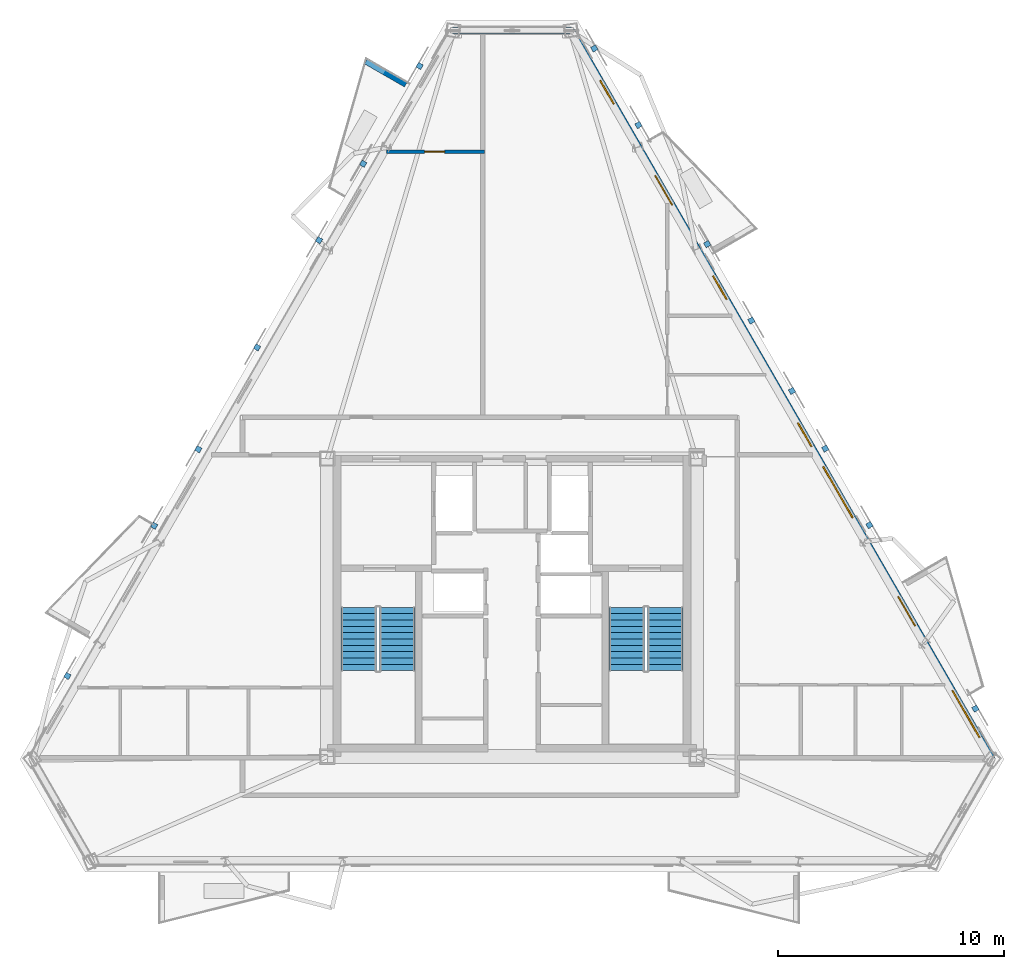
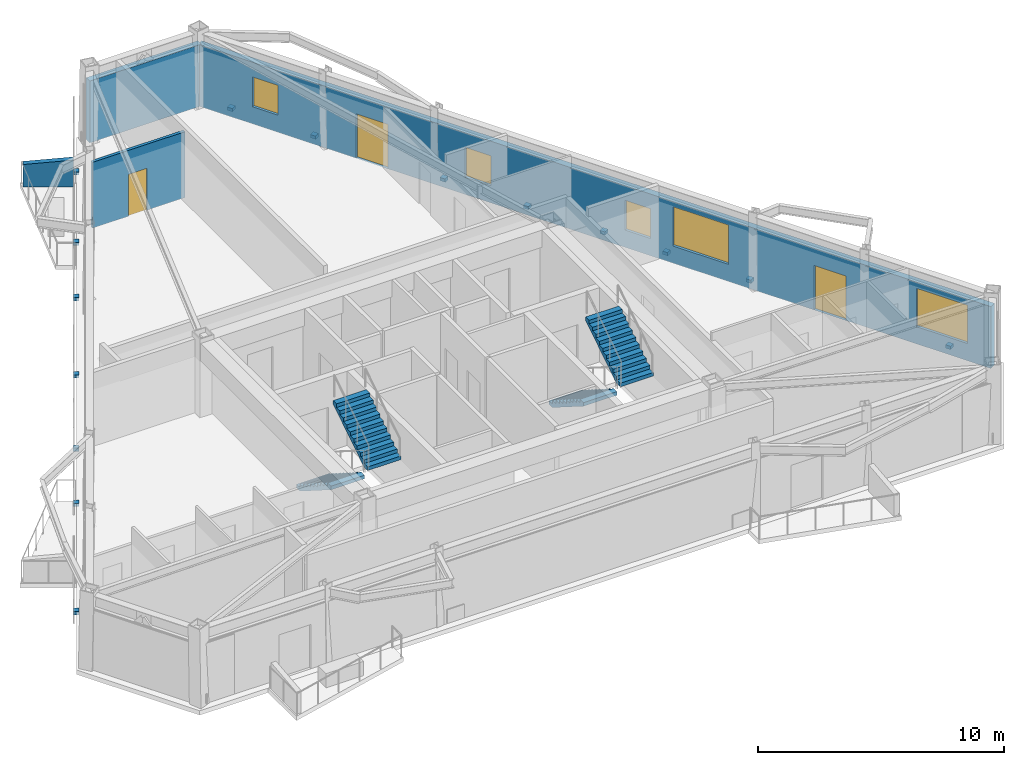
# One storey, part 5 of 9: 15 discrete accessories, 5 windows, 4 stair flights, 4 walls, 3 doors, 8 openings, 2 elements without a shape of their own.
"""IFC4 building model written with IfcOpenShell, lengths in metres."""

from ifc_helpers import new_model, si_unit, direction, frame, frame_2d, origin, origin_2d, place, context, subcontext, project, spatial, polyline, rectangle, outline, extrude, material, layer, layer_set, type_object, element, fill, aggregate, save


model = new_model("IFC4")

# Units and contexts
model_context = context("Model", 3, precision=1e-05, world=origin(), true_north=direction((0.0, 1.0)))
body_context = subcontext(model_context, "Body", "Model", "MODEL_VIEW")
ifc_project = project(units=[si_unit("LENGTHUNIT", "METRE"), si_unit("AREAUNIT", "SQUARE_METRE"), si_unit("VOLUMEUNIT", "CUBIC_METRE"), si_unit("PLANEANGLEUNIT", "RADIAN"), si_unit("MASSUNIT", "GRAM", prefix="KILO")], contexts=[model_context])

# Site, building, storey
site_placement = place(None, origin())
site = spatial("IfcSite", under=ifc_project, at=site_placement, CompositionType="ELEMENT")
building_placement = place(site_placement, origin())
building = spatial("IfcBuilding", under=site, at=building_placement, Name="Oramaril Tower", CompositionType="ELEMENT")
storey_placement = place(building_placement, frame((0.0, 0.0, 257.699951171875)))
storey = spatial("IfcBuildingStorey", under=building, at=storey_placement, Name="L68", CompositionType="ELEMENT", Elevation=257.699951171875)

# Wall, openings, doors, windows
ifc_material_1 = material(Name="Warm Cream Limestone", Category="masonry")
ifc_layer_1 = layer(ifc_material_1, 0.2900390625)
ifc_layer_set_1 = layer_set([ifc_layer_1], Name="WT-EXT29")
wall_type_1 = type_object("IfcWallType", Name="WT-EXT29", PredefinedType="SOLIDWALL", material=ifc_layer_set_1)
wall_1_placement = place(storey_placement, frame((58.692626953125, 10.885986328125, 0.0), z_axis=(0.0, 0.0, 1.0), x_axis=(-0.500001564453, 0.866024500545, 0.0)))
wall_1 = element("IfcWall", 1, at=wall_1_placement, inside=storey, type_object=wall_type_1, Name="L68 Tower Limestone Facade Wall 4M", PredefinedType="SOLIDWALL", context=body_context, shape_type="SweptSolid", body=[
    extrude(rectangle(XDim=37.15185546875, YDim=0.2900390625, at=frame_2d((18.575927734375, 0.0))), origin(), (0.0, 0.0, 1.0), 3.05810546875),
])
opening_1_placement = place(wall_1_placement, frame((6.789306640625, 0.0, 0.0)))
opening_1 = element("IfcOpeningElement", 2, at=opening_1_placement, cuts=wall_1, Name="Opening D-L68-BAL-NE1", PredefinedType="OPENING", context=body_context, shape_type="SweptSolid", body=[
    extrude(rectangle(XDim=1.5, YDim=2.199951171875, at=frame_2d((0.75, 1.10009765625))), frame((0.0, 0.14501953125, 0.0), z_axis=(0.0, -1.0, 0.0), x_axis=(1.0, 0.0, 0.0)), (0.0, 0.0, 1.0), 0.2900390625),
])
opening_2_placement = place(wall_1_placement, frame((28.247314453125, 0.0, 0.0)))
opening_2 = element("IfcOpeningElement", 3, at=opening_2_placement, cuts=wall_1, Name="Opening D-L68-BAL-NE2", PredefinedType="OPENING", context=body_context, shape_type="SweptSolid", body=[
    extrude(rectangle(XDim=1.5, YDim=2.199951171875, at=frame_2d((0.75, 1.10009765625))), frame((0.0, 0.14501953125, 0.0), z_axis=(0.0, -1.0, 0.0), x_axis=(1.0, 0.0, 0.0)), (0.0, 0.0, 1.0), 0.2900390625),
])
opening_3_placement = place(wall_1_placement, frame((12.3046875, 0.0, 0.85009765625)))
opening_3 = element("IfcOpeningElement", 4, at=opening_3_placement, cuts=wall_1, Name="Opening WN-02", PredefinedType="OPENING", context=body_context, shape_type="SweptSolid", body=[
    extrude(rectangle(XDim=2.60009765625, YDim=1.949951171875, at=frame_2d((1.300048828125, 0.97509765625))), frame((0.0, 0.14501953125, 0.0), z_axis=(0.0, -1.0, 0.0), x_axis=(1.0, 0.0, 0.0)), (0.0, 0.0, 1.0), 0.2900390625),
])
opening_4_placement = place(wall_1_placement, frame((1.09619140625, 0.0, 0.85009765625)))
opening_4 = element("IfcOpeningElement", 5, at=opening_4_placement, cuts=wall_1, Name="Opening WN-03", PredefinedType="OPENING", context=body_context, shape_type="SweptSolid", body=[
    extrude(rectangle(XDim=2.39990234375, YDim=1.89990234375, at=frame_2d((1.199951171875, 0.949951171875))), frame((0.0, 0.14501953125, 0.0), z_axis=(0.0, -1.0, 0.0), x_axis=(1.0, 0.0, 0.0)), (0.0, 0.0, 1.0), 0.2900390625),
])
opening_5_placement = place(wall_1_placement, frame((33.401123046875, 0.0, 0.85009765625)))
opening_5 = element("IfcOpeningElement", 6, at=opening_5_placement, cuts=wall_1, Name="Opening WN-09", PredefinedType="OPENING", context=body_context, shape_type="SweptSolid", body=[
    extrude(rectangle(XDim=1.199951171875, YDim=1.47998046875, at=frame_2d((0.60009765625, 0.739990234375))), frame((0.0, 0.14501953125, 0.0), z_axis=(0.0, -1.0, 0.0), x_axis=(1.0, 0.0, 0.0)), (0.0, 0.0, 1.0), 0.2900390625),
])
opening_6_placement = place(wall_1_placement, frame((15.9423828125, 0.0, 0.85009765625)))
opening_6 = element("IfcOpeningElement", 7, at=opening_6_placement, cuts=wall_1, Name="Opening WN-09", PredefinedType="OPENING", context=body_context, shape_type="SweptSolid", body=[
    extrude(rectangle(XDim=1.199951171875, YDim=1.47998046875, at=frame_2d((0.60009765625, 0.739990234375))), frame((0.0, 0.14501953125, 0.0), z_axis=(0.0, -1.0, 0.0), x_axis=(1.0, 0.0, 0.0)), (0.0, 0.0, 1.0), 0.2900390625),
])
opening_7_placement = place(wall_1_placement, frame((23.4296875, 0.0, 0.85009765625)))
opening_7 = element("IfcOpeningElement", 8, at=opening_7_placement, cuts=wall_1, Name="Opening WN-09", PredefinedType="OPENING", context=body_context, shape_type="SweptSolid", body=[
    extrude(rectangle(XDim=1.199951171875, YDim=1.47998046875, at=frame_2d((0.60009765625, 0.739990234375))), frame((0.0, 0.14501953125, 0.0), z_axis=(0.0, -1.0, 0.0), x_axis=(1.0, 0.0, 0.0)), (0.0, 0.0, 1.0), 0.2900390625),
])
ifc_material_2 = material(Name="Anodised Aluminium 6063-T6", Category="aluminium")
door_type_1 = type_object("IfcDoorType", Name="DT-BAL", OperationType="NOTDEFINED", PredefinedType="DOOR", material=ifc_material_2)
door_1_placement = place(opening_1_placement, origin())
door_1 = element("IfcDoor", 9, at=door_1_placement, inside=storey, type_object=door_type_1, Name="L68 Balcony Glazed Door L68-BAL-NE1", OperationType="SINGLE_SWING_LEFT", OverallHeight=2.199951171875, OverallWidth=1.5, PredefinedType="DOOR", context=body_context, shape_type="SweptSolid", body=[
    extrude(rectangle(XDim=1.5, YDim=2.199951171875, at=frame_2d((0.75, 1.10009765625))), frame((0.0, 0.02490234375, 0.0), z_axis=(0.0, -1.0, 0.0), x_axis=(1.0, 0.0, 0.0)), (0.0, 0.0, 1.0), 0.050048828125),
])
fill(opening_1, door_1)
door_2_placement = place(opening_2_placement, origin())
door_2 = element("IfcDoor", 10, at=door_2_placement, inside=storey, type_object=door_type_1, Name="L68 Balcony Glazed Door L68-BAL-NE2", OperationType="SINGLE_SWING_RIGHT", OverallHeight=2.199951171875, OverallWidth=1.5, PredefinedType="DOOR", context=body_context, shape_type="SweptSolid", body=[
    extrude(rectangle(XDim=1.5, YDim=2.199951171875, at=frame_2d((0.75, 1.10009765625))), frame((0.0, 0.02490234375, 0.0), z_axis=(0.0, -1.0, 0.0), x_axis=(1.0, 0.0, 0.0)), (0.0, 0.0, 1.0), 0.050048828125),
])
fill(opening_2, door_2)
ifc_material_3 = material(Name="Coastal Low-E Insulated Glass", Category="glass")
window_type_1 = type_object("IfcWindowType", Name="WNT-02", PartitioningType="SINGLE_PANEL", PredefinedType="WINDOW", material=ifc_material_3)
window_1_placement = place(opening_3_placement, origin())
window_1 = element("IfcWindow", 11, at=window_1_placement, inside=storey, type_object=window_type_1, Name="L68 Chicago Bay Window WN-02", OverallHeight=1.949951171875, OverallWidth=2.60009765625, PartitioningType="SINGLE_PANEL", PredefinedType="WINDOW", context=body_context, shape_type="SweptSolid", body=[
    extrude(rectangle(XDim=2.60009765625, YDim=1.949951171875, at=frame_2d((1.300048828125, 0.97509765625))), frame((0.0, 0.030029296875, 0.0), z_axis=(0.0, -1.0, 0.0), x_axis=(1.0, 0.0, 0.0)), (0.0, 0.0, 1.0), 0.06005859375),
])
fill(opening_3, window_1)
ifc_material_4 = material(Name="Coastal Low-E Insulated Glass", Category="glass")
window_type_2 = type_object("IfcWindowType", Name="WNT-03", PartitioningType="SINGLE_PANEL", PredefinedType="WINDOW", material=ifc_material_4)
window_2_placement = place(opening_4_placement, origin())
window_2 = element("IfcWindow", 12, at=window_2_placement, inside=storey, type_object=window_type_2, Name="L68 Chicago Bay Window WN-03", OverallHeight=1.89990234375, OverallWidth=2.39990234375, PartitioningType="SINGLE_PANEL", PredefinedType="WINDOW", context=body_context, shape_type="SweptSolid", body=[
    extrude(rectangle(XDim=2.39990234375, YDim=1.89990234375, at=frame_2d((1.199951171875, 0.949951171875))), frame((0.0, 0.030029296875, 0.0), z_axis=(0.0, -1.0, 0.0), x_axis=(1.0, 0.0, 0.0)), (0.0, 0.0, 1.0), 0.06005859375),
])
fill(opening_4, window_2)
ifc_material_5 = material(Name="Coastal Low-E Insulated Glass", Category="glass")
window_type_3 = type_object("IfcWindowType", Name="WNT-09", PartitioningType="SINGLE_PANEL", PredefinedType="WINDOW", material=ifc_material_5)
window_3_placement = place(opening_5_placement, origin())
window_3 = element("IfcWindow", 13, at=window_3_placement, inside=storey, type_object=window_type_3, Name="L68 Chicago Bay Window WN-09", OverallHeight=1.47998046875, OverallWidth=1.199951171875, PartitioningType="SINGLE_PANEL", PredefinedType="WINDOW", context=body_context, shape_type="SweptSolid", body=[
    extrude(rectangle(XDim=1.199951171875, YDim=1.47998046875, at=frame_2d((0.60009765625, 0.739990234375))), frame((0.0, 0.030029296875, 0.0), z_axis=(0.0, -1.0, 0.0), x_axis=(1.0, 0.0, 0.0)), (0.0, 0.0, 1.0), 0.06005859375),
])
fill(opening_5, window_3)
window_4_placement = place(opening_6_placement, origin())
window_4 = element("IfcWindow", 14, at=window_4_placement, inside=storey, type_object=window_type_3, Name="L68 Chicago Bay Window WN-09", OverallHeight=1.47998046875, OverallWidth=1.199951171875, PartitioningType="SINGLE_PANEL", PredefinedType="WINDOW", context=body_context, shape_type="SweptSolid", body=[
    extrude(rectangle(XDim=1.199951171875, YDim=1.47998046875, at=frame_2d((0.60009765625, 0.739990234375))), frame((0.0, 0.030029296875, 0.0), z_axis=(0.0, -1.0, 0.0), x_axis=(1.0, 0.0, 0.0)), (0.0, 0.0, 1.0), 0.06005859375),
])
fill(opening_6, window_4)
window_5_placement = place(opening_7_placement, origin())
window_5 = element("IfcWindow", 15, at=window_5_placement, inside=storey, type_object=window_type_3, Name="L68 Chicago Bay Window WN-09", OverallHeight=1.47998046875, OverallWidth=1.199951171875, PartitioningType="SINGLE_PANEL", PredefinedType="WINDOW", context=body_context, shape_type="SweptSolid", body=[
    extrude(rectangle(XDim=1.199951171875, YDim=1.47998046875, at=frame_2d((0.60009765625, 0.739990234375))), frame((0.0, 0.030029296875, 0.0), z_axis=(0.0, -1.0, 0.0), x_axis=(1.0, 0.0, 0.0)), (0.0, 0.0, 1.0), 0.06005859375),
])
fill(opening_7, window_5)

# Walls
wall_2_placement = place(storey_placement, frame((40.11669921875, 43.060302734375, 0.0), z_axis=(0.0, 0.0, 1.0), x_axis=(-1.0, 0.0, 0.0)))
element("IfcWall", 16, at=wall_2_placement, inside=storey, type_object=wall_type_1, Name="L68 Tower Limestone Facade Wall 5M", PredefinedType="SOLIDWALL", context=body_context, shape_type="SweptSolid", body=[
    extrude(rectangle(XDim=5.2333984375, YDim=0.2900390625, at=frame_2d((2.61669921875, 0.0))), origin(), (0.0, 0.0, 1.0), 3.05810546875),
])
ifc_material_6 = material(Name="Concrete C40/50", Category="concrete")
ifc_layer_2 = layer(ifc_material_6, 0.22998046875)
ifc_layer_set_2 = layer_set([ifc_layer_2], Name="WT-PRP23")
wall_type_2 = type_object("IfcWallType", Name="WT-PRP23", PredefinedType="PARAPET", material=ifc_layer_set_2)
wall_3_placement = place(storey_placement, frame((32.80810546875, 40.662109375, 0.0), z_axis=(0.0, 0.0, 1.0), x_axis=(-0.866012356593, 0.500022597718, 0.0)))
element("IfcWall", 17, at=wall_3_placement, inside=storey, type_object=wall_type_2, Name="L68 Trapezoidal Balcony Frame Cheek L68-BAL-NW1-L", PredefinedType="PARAPET", context=body_context, shape_type="SweptSolid", body=[
    extrude(outline(polyline([(0.0, 0.0), (2.0419921875, 0.0), (2.0419921875, 1.10009765625), (0.0, 1.320068359375), (0.0, 0.0)])), frame((0.0, 0.114990234375, 0.0), z_axis=(0.0, -1.0, 0.0), x_axis=(1.0, 0.0, 0.0)), (0.0, 0.0, 1.0), 0.22998046875),
])

# Wall, opening, door
ifc_material_7 = material(Name="Acoustic Gypsum Board Partition")
ifc_layer_3 = layer(ifc_material_7, 0.139892578125)
ifc_layer_set_3 = layer_set([ifc_layer_3], Name="WT-PT14")
wall_type_3 = type_object("IfcWallType", Name="WT-PT14", PredefinedType="PARTITIONING", material=ifc_layer_set_3)
wall_4_placement = place(storey_placement, frame((31.96044921875, 37.699951171875, 0.0), z_axis=(0.0, 0.0, 1.0), x_axis=(1.0, 0.0, 0.0)))
wall_4 = element("IfcWall", 18, at=wall_4_placement, inside=storey, type_object=wall_type_3, Name="L68 Interior Partition PT-14", PredefinedType="PARTITIONING", context=body_context, shape_type="SweptSolid", body=[
    extrude(rectangle(XDim=4.321533203125, YDim=0.139892578125, at=frame_2d((2.16064453125, 0.0))), origin(), (0.0, 0.0, 1.0), 3.26611328125),
])
opening_8_placement = place(wall_4_placement, frame((1.68115234375, 0.0, 0.0)))
opening_8 = element("IfcOpeningElement", 19, at=opening_8_placement, cuts=wall_4, Name="Opening D-L68-12", PredefinedType="OPENING", context=body_context, shape_type="SweptSolid", body=[
    extrude(rectangle(XDim=0.8798828125, YDim=2.080078125, at=frame_2d((0.43994140625, 1.0400390625))), frame((0.0, 0.06982421875, 0.0), z_axis=(0.0, -1.0, 0.0), x_axis=(1.0, 0.0, 0.0)), (0.0, 0.0, 1.0), 0.139892578125),
])
ifc_material_8 = material(Name="FSC Brazilian Freijo Hardwood", Category="wood")
door_type_2 = type_object("IfcDoorType", Name="DT-BATH", OperationType="NOTDEFINED", PredefinedType="DOOR", material=ifc_material_8)
door_3_placement = place(opening_8_placement, origin())
door_3 = element("IfcDoor", 20, at=door_3_placement, inside=storey, type_object=door_type_2, Name="L68 Flat L68-U4 Bathroom Door D-L68-12", OperationType="SINGLE_SWING_LEFT", OverallHeight=2.080078125, OverallWidth=0.8798828125, PredefinedType="DOOR", context=body_context, shape_type="SweptSolid", body=[
    extrude(rectangle(XDim=0.8798828125, YDim=2.080078125, at=frame_2d((0.43994140625, 1.0400390625))), frame((0.0, 0.02490234375, 0.0), z_axis=(0.0, -1.0, 0.0), x_axis=(1.0, 0.0, 0.0)), (0.0, 0.0, 1.0), 0.050048828125),
])
fill(opening_8, door_3)

# Stair, stair flights
ifc_material_9 = material(Name="Concrete C50/60", Category="concrete")
stair_type = type_object("IfcStairType", Name="STT-DG-3900", PredefinedType="HALF_TURN_STAIR", material=ifc_material_9)
stair_1_placement = place(storey_placement, origin())
stair_1 = element("IfcStair", 21, at=stair_1_placement, inside=storey, type_object=stair_type, Name="L68 Protected PFP Exit Stair ST-1", PredefinedType="HALF_TURN_STAIR")
ifc_material_10 = material(Name="Concrete C50/60", Category="concrete")
stair_flight_type = type_object("IfcStairFlightType", Name="SFT-DG-3900", PredefinedType="STRAIGHT", material=ifc_material_10)
stair_flight_1_placement = place(storey_placement, frame((30.72998046875, 17.590087890625, 0.0), z_axis=(0.0, 0.0, 1.0), x_axis=(0.0, -1.0, 0.0)))
stair_flight_1 = element("IfcStairFlight", 22, at=stair_flight_1_placement, type_object=stair_flight_type, Name="ST-1 flight 1", NumberOfRisers=11, NumberOfTreads=10, PredefinedType="STRAIGHT", RiserHeight=0.177272727, TreadLength=0.28, context=body_context, shape_type="SweptSolid", body=[
    extrude(outline(polyline([(0.0, 0.0), (0.0, 0.17724609375), (0.280029296875, 0.17724609375), (0.280029296875, 0.3544921875), (0.56005859375, 0.3544921875), (0.56005859375, 0.53173828125), (0.840087890625, 0.53173828125), (0.840087890625, 0.708984375), (1.1201171875, 0.708984375), (1.1201171875, 0.886474609375), (1.39990234375, 0.886474609375), (1.39990234375, 1.063720703125), (1.679931640625, 1.063720703125), (1.679931640625, 1.240966796875), (1.9599609375, 1.240966796875), (1.9599609375, 1.418212890625), (2.239990234375, 1.418212890625), (2.239990234375, 1.595458984375), (2.52001953125, 1.595458984375), (2.52001953125, 1.772705078125), (2.800048828125, 1.772705078125), (2.800048828125, 1.949951171875), (2.800048828125, 1.59521484375), (0.2802734375, 0.0), (0.0, 0.0)])), frame((0.0, 0.780029296875, 0.0), z_axis=(0.0, -1.0, 0.0), x_axis=(1.0, 0.0, 0.0)), (0.0, 0.0, 1.0), 1.56005859375),
])
stair_flight_2_placement = place(storey_placement, frame((32.43994140625, 14.7900390625, 1.949951171875), z_axis=(0.0, 0.0, 1.0), x_axis=(0.0, 1.0, 0.0)))
stair_flight_2 = element("IfcStairFlight", 23, at=stair_flight_2_placement, type_object=stair_flight_type, Name="ST-1 flight 2", NumberOfRisers=11, NumberOfTreads=10, PredefinedType="STRAIGHT", RiserHeight=0.177272727, TreadLength=0.28, context=body_context, shape_type="SweptSolid", body=[
    extrude(outline(polyline([(0.0, 0.0), (0.0, 0.17724609375), (0.280029296875, 0.17724609375), (0.280029296875, 0.3544921875), (0.56005859375, 0.3544921875), (0.56005859375, 0.53173828125), (0.840087890625, 0.53173828125), (0.840087890625, 0.708984375), (1.1201171875, 0.708984375), (1.1201171875, 0.886474609375), (1.39990234375, 0.886474609375), (1.39990234375, 1.063720703125), (1.679931640625, 1.063720703125), (1.679931640625, 1.240966796875), (1.9599609375, 1.240966796875), (1.9599609375, 1.418212890625), (2.239990234375, 1.418212890625), (2.239990234375, 1.595458984375), (2.52001953125, 1.595458984375), (2.52001953125, 1.772705078125), (2.800048828125, 1.772705078125), (2.800048828125, 1.949951171875), (2.800048828125, 1.59521484375), (0.2802734375, 0.0), (0.0, 0.0)])), frame((0.0, 0.780029296875, 0.0), z_axis=(0.0, -1.0, 0.0), x_axis=(1.0, 0.0, 0.0)), (0.0, 0.0, 1.0), 1.56005859375),
])
aggregate(stair_1, [stair_flight_1, stair_flight_2])

stair_2_placement = place(storey_placement, origin())
stair_2 = element("IfcStair", 24, at=stair_2_placement, inside=storey, type_object=stair_type, Name="L68 Protected PFP Exit Stair ST-2", PredefinedType="HALF_TURN_STAIR")
stair_flight_3_placement = place(storey_placement, frame((42.56005859375, 17.590087890625, 0.0), z_axis=(0.0, 0.0, 1.0), x_axis=(0.0, -1.0, 0.0)))
stair_flight_3 = element("IfcStairFlight", 25, at=stair_flight_3_placement, type_object=stair_flight_type, Name="ST-2 flight 1", NumberOfRisers=11, NumberOfTreads=10, PredefinedType="STRAIGHT", RiserHeight=0.177272727, TreadLength=0.28, context=body_context, shape_type="SweptSolid", body=[
    extrude(outline(polyline([(0.0, 0.0), (0.0, 0.17724609375), (0.280029296875, 0.17724609375), (0.280029296875, 0.3544921875), (0.56005859375, 0.3544921875), (0.56005859375, 0.53173828125), (0.840087890625, 0.53173828125), (0.840087890625, 0.708984375), (1.1201171875, 0.708984375), (1.1201171875, 0.886474609375), (1.39990234375, 0.886474609375), (1.39990234375, 1.063720703125), (1.679931640625, 1.063720703125), (1.679931640625, 1.240966796875), (1.9599609375, 1.240966796875), (1.9599609375, 1.418212890625), (2.239990234375, 1.418212890625), (2.239990234375, 1.595458984375), (2.52001953125, 1.595458984375), (2.52001953125, 1.772705078125), (2.800048828125, 1.772705078125), (2.800048828125, 1.949951171875), (2.800048828125, 1.59521484375), (0.2802734375, 0.0), (0.0, 0.0)])), frame((0.0, 0.780029296875, 0.0), z_axis=(0.0, -1.0, 0.0), x_axis=(1.0, 0.0, 0.0)), (0.0, 0.0, 1.0), 1.56005859375),
])
stair_flight_4_placement = place(storey_placement, frame((44.27001953125, 14.7900390625, 1.949951171875), z_axis=(0.0, 0.0, 1.0), x_axis=(0.0, 1.0, 0.0)))
stair_flight_4 = element("IfcStairFlight", 26, at=stair_flight_4_placement, type_object=stair_flight_type, Name="ST-2 flight 2", NumberOfRisers=11, NumberOfTreads=10, PredefinedType="STRAIGHT", RiserHeight=0.177272727, TreadLength=0.28, context=body_context, shape_type="SweptSolid", body=[
    extrude(outline(polyline([(0.0, 0.0), (0.0, 0.17724609375), (0.280029296875, 0.17724609375), (0.280029296875, 0.3544921875), (0.56005859375, 0.3544921875), (0.56005859375, 0.53173828125), (0.840087890625, 0.53173828125), (0.840087890625, 0.708984375), (1.1201171875, 0.708984375), (1.1201171875, 0.886474609375), (1.39990234375, 0.886474609375), (1.39990234375, 1.063720703125), (1.679931640625, 1.063720703125), (1.679931640625, 1.240966796875), (1.9599609375, 1.240966796875), (1.9599609375, 1.418212890625), (2.239990234375, 1.418212890625), (2.239990234375, 1.595458984375), (2.52001953125, 1.595458984375), (2.52001953125, 1.772705078125), (2.800048828125, 1.772705078125), (2.800048828125, 1.949951171875), (2.800048828125, 1.59521484375), (0.2802734375, 0.0), (0.0, 0.0)])), frame((0.0, 0.780029296875, 0.0), z_axis=(0.0, -1.0, 0.0), x_axis=(1.0, 0.0, 0.0)), (0.0, 0.0, 1.0), 1.56005859375),
])
aggregate(stair_2, [stair_flight_3, stair_flight_4])

# Discrete accessories
for number, where, z_axis, x_axis, name in (
    (27, (53.281005859375, 21.219482421875, -0.14013671875), (0.0, 0.0, 1.0), (-0.5, 0.866025403784, 0.0), "L68 Solar Screen Slab Bracket"),
    (28, (51.330810546875, 24.596923828125, -0.14013671875), (0.0, 0.0, 1.0), (-0.5, 0.866025403784, 0.0), "L68 Solar Screen Slab Bracket"),
    (29, (57.960205078125, 13.114501953125, -0.14013671875), (0.0, 0.0, 1.0), (-0.5, 0.866025403784, 0.0), "L68 Solar Screen Slab Bracket"),
    (30, (43.082763671875, 38.88330078125, -0.14013671875), (0.0, 0.0, 1.0), (-0.5, 0.866025403784, 0.0), "L68 Solar Screen Slab Bracket"),
    (31, (41.1328125, 42.2607421875, -0.14013671875), (0.0, 0.0, 1.0), (-0.5, 0.866025403784, 0.0), "L68 Solar Screen Slab Bracket"),
    (32, (49.862060546875, 27.14111328125, -0.14013671875), (0.0, 0.0, 1.0), (-0.5, 0.866025403784, 0.0), "L68 Solar Screen Slab Bracket"),
    (33, (48.068359375, 30.247802734375, -0.14013671875), (0.0, 0.0, 1.0), (-0.5, 0.866025403784, 0.0), "L68 Solar Screen Slab Bracket"),
    (34, (46.118408203125, 33.625244140625, -0.14013671875), (0.0, 0.0, 1.0), (-0.5, 0.866025403784, 0.0), "L68 Solar Screen Slab Bracket"),
    (35, (23.65185546875, 24.56689453125, -0.14013671875), (0.0, 0.0, 1.0), (-0.5, -0.866025403784, 0.0), "L68 Solar Screen Slab Bracket"),
    (36, (21.701904296875, 21.189453125, -0.14013671875), (0.0, 0.0, 1.0), (-0.5, -0.866025403784, 0.0), "L68 Solar Screen Slab Bracket"),
    (37, (17.872314453125, 14.556884765625, -0.14013671875), (0.0, 0.0, 1.0), (-0.5, -0.866025403784, 0.0), "L68 Solar Screen Slab Bracket"),
    (38, (30.929931640625, 37.173095703125, -0.14013671875), (0.0, 0.0, 1.0), (-0.5, -0.866025403784, 0.0), "L68 Solar Screen Slab Bracket"),
    (39, (28.97998046875, 33.795654296875, -0.14013671875), (0.0, 0.0, 1.0), (-0.5, -0.866025403784, 0.0), "L68 Solar Screen Slab Bracket"),
    (40, (26.24658203125, 29.06103515625, -0.14013671875), (0.0, 0.0, 1.0), (-0.5, -0.866025403784, 0.0), "L68 Solar Screen Slab Bracket"),
    (41, (33.42138671875, 41.48828125, -0.14013671875), (0.0, 0.0, 1.0), (-0.5, -0.866025403784, 0.0), "L68 Solar Screen Slab Bracket"),
):
    element("IfcDiscreteAccessory", number, at=place(storey_placement, frame(where, z_axis=z_axis, x_axis=x_axis)), inside=storey, Name=name, PredefinedType="BRACKET", context=body_context, shape_type="SweptSolid", body=[
        extrude(rectangle(XDim=0.239990234375, YDim=0.239990234375, at=origin_2d()), origin(), (0.0, 0.0, 1.0), 0.159912109375),
    ])

save(model, "model.ifc")
